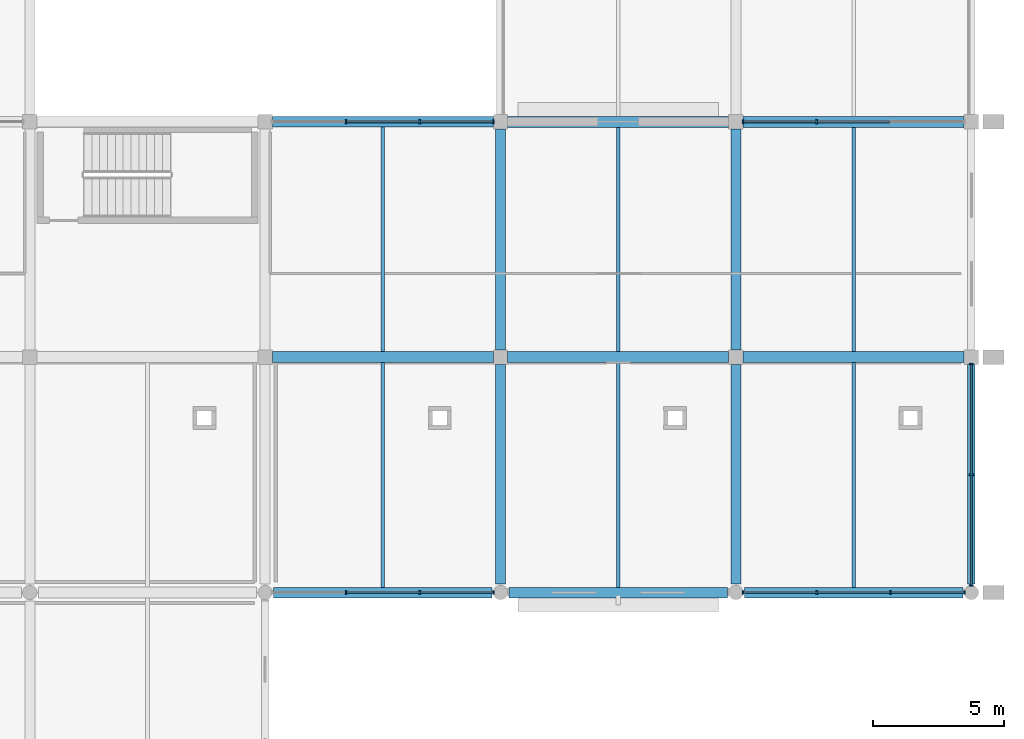
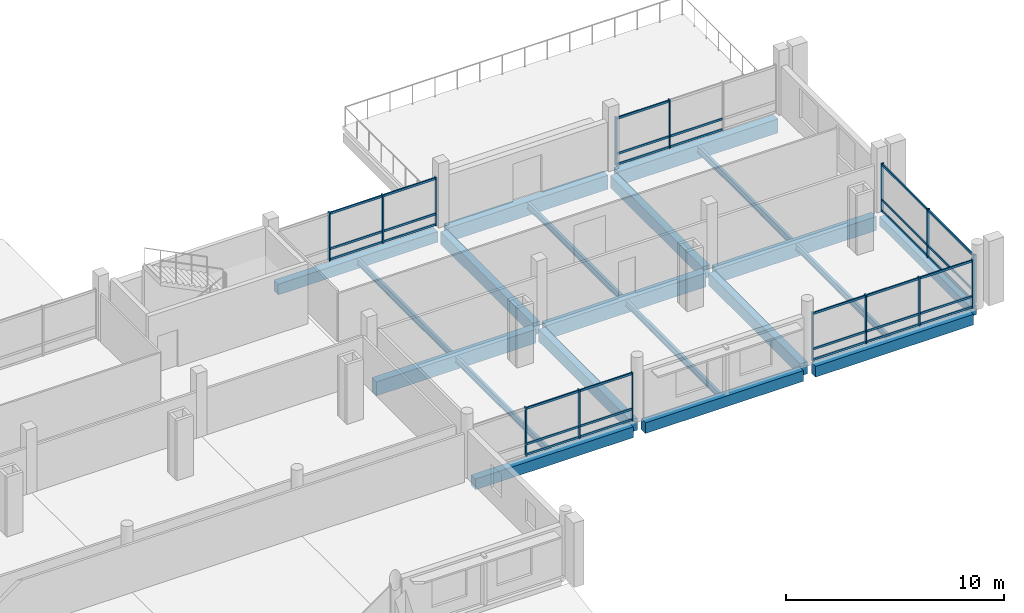
# One storey, part 61 of 132: 47 members, 20 beams, 5 elements without a shape of their own.
"""IFC4 building model written with IfcOpenShell, lengths in metres."""

from ifc_helpers import new_model, si_unit, direction, frame, origin, origin_2d, place, context, subcontext, project, spatial, rectangle, i_section, extrude, material, material_profile, profile_set, type_object, element, aggregate, save


model = new_model("IFC4")

# Units and contexts
model_context = context("Model", 3, precision=1e-05, world=origin(), true_north=direction((0.0, 1.0)))
body_context = subcontext(model_context, "Body", "Model", "MODEL_VIEW")
ifc_project = project(units=[si_unit("LENGTHUNIT", "METRE"), si_unit("AREAUNIT", "SQUARE_METRE"), si_unit("VOLUMEUNIT", "CUBIC_METRE"), si_unit("PLANEANGLEUNIT", "RADIAN"), si_unit("MASSUNIT", "GRAM", prefix="KILO")], contexts=[model_context])

# Site, building, storey
site_placement = place(None, origin())
site = spatial("IfcSite", under=ifc_project, at=site_placement, CompositionType="ELEMENT")
building_placement = place(site_placement, origin())
building = spatial("IfcBuilding", under=site, at=building_placement, Name="Tharagai Park Tramway Depot", CompositionType="ELEMENT")
storey_placement = place(building_placement, frame((0.0, 0.0, 4.800048828125)))
storey = spatial("IfcBuildingStorey", under=building, at=storey_placement, Name="L01", CompositionType="ELEMENT", Elevation=4.800048828125)

# Beams
ifc_material_1 = material(Name="Concrete M35", Category="concrete")
ifc_material_profile_1 = material_profile(ifc_material_1, rectangle(XDim=0.3798828125, YDim=0.679931640625, at=origin_2d()), Name="RC 380x680")
ifc_profile_set_1 = profile_set([ifc_material_profile_1], Name="Concrete M35")
beam_type_1 = type_object("IfcBeamType", Name="BM-12", PredefinedType="BEAM", material=ifc_profile_set_1)
beam_1_placement = place(storey_placement, frame((198.0, 9.324951171875, -0.570068359375), z_axis=(0.0, 1.0, 0.0), x_axis=(-1.0, 0.0, 0.0)))
element("IfcBeam", 1, at=beam_1_placement, inside=storey, type_object=beam_type_1, Name="L01 Grid Beam BM-12", PredefinedType="BEAM", context=body_context, shape_type="SweptSolid", body=[
    extrude(rectangle(XDim=0.3798828125, YDim=0.679931640625, at=origin_2d()), origin(), (0.0, 0.0, 1.0), 8.400146484375),
])
beam_2_placement = place(storey_placement, frame((198.0, 18.27490234375, -0.570068359375), z_axis=(0.0, 1.0, 0.0), x_axis=(-1.0, 0.0, 0.0)))
element("IfcBeam", 2, at=beam_2_placement, inside=storey, type_object=beam_type_1, Name="L01 Grid Beam BM-12", PredefinedType="BEAM", context=body_context, shape_type="SweptSolid", body=[
    extrude(rectangle(XDim=0.3798828125, YDim=0.679931640625, at=origin_2d()), origin(), (0.0, 0.0, 1.0), 8.4501953125),
])
beam_3_placement = place(storey_placement, frame((207.0, 9.324951171875, -0.570068359375), z_axis=(0.0, 1.0, 0.0), x_axis=(-1.0, 0.0, 0.0)))
element("IfcBeam", 3, at=beam_3_placement, inside=storey, type_object=beam_type_1, Name="L01 Grid Beam BM-12", PredefinedType="BEAM", context=body_context, shape_type="SweptSolid", body=[
    extrude(rectangle(XDim=0.3798828125, YDim=0.679931640625, at=origin_2d()), origin(), (0.0, 0.0, 1.0), 8.400146484375),
])
beam_4_placement = place(storey_placement, frame((207.0, 18.27490234375, -0.570068359375), z_axis=(0.0, 1.0, 0.0), x_axis=(-1.0, 0.0, 0.0)))
element("IfcBeam", 4, at=beam_4_placement, inside=storey, type_object=beam_type_1, Name="L01 Grid Beam BM-12", PredefinedType="BEAM", context=body_context, shape_type="SweptSolid", body=[
    extrude(rectangle(XDim=0.3798828125, YDim=0.679931640625, at=origin_2d()), origin(), (0.0, 0.0, 1.0), 8.4501953125),
])
ifc_material_profile_2 = material_profile(ifc_material_1, rectangle(XDim=0.419921875, YDim=0.780029296875, at=origin_2d()), Name="RC 420x780")
ifc_profile_set_2 = profile_set([ifc_material_profile_2], Name="Concrete M35")
beam_type_2 = type_object("IfcBeamType", Name="BM-16", PredefinedType="BEAM", material=ifc_profile_set_2)
for number, where, z_axis, x_axis, name in (
    (5, (189.27490234375, 18.0, -0.6201171875), (1.0, 0.0, 0.0), (0.0, 1.0, 0.0), "L01 Grid Beam BM-16"),
    (6, (198.27490234375, 18.0, -0.6201171875), (1.0, 0.0, 0.0), (0.0, 1.0, 0.0), "L01 Grid Beam BM-16"),
    (7, (207.27490234375, 18.0, -0.6201171875), (1.0, 0.0, 0.0), (0.0, 1.0, 0.0), "L01 Grid Beam BM-16"),
    (8, (198.27490234375, 27.0, -0.6201171875), (1.0, 0.0, 0.0), (0.0, 1.0, 0.0), "L01 Grid Beam BM-16"),
    (9, (207.27490234375, 27.0, -0.6201171875), (1.0, 0.0, 0.0), (0.0, 1.0, 0.0), "L01 Grid Beam BM-16"),
):
    element("IfcBeam", number, at=place(storey_placement, frame(where, z_axis=z_axis, x_axis=x_axis)), inside=storey, type_object=beam_type_2, Name=name, PredefinedType="BEAM", context=body_context, shape_type="SweptSolid", body=[
        extrude(rectangle(XDim=0.419921875, YDim=0.780029296875, at=origin_2d()), origin(), (0.0, 0.0, 1.0), 8.4501953125),
    ])

# Curtain wall, members
ifc_material_2 = material(Name="Anodised aluminium", Category="aluminium")
curtain_wall_type_1 = type_object("IfcCurtainWallType", Name="CW-06", PredefinedType="NOTDEFINED", material=ifc_material_2)
curtain_wall_1_placement = place(storey_placement, origin())
curtain_wall_1 = element("IfcCurtainWall", 10, at=curtain_wall_1_placement, inside=storey, type_object=curtain_wall_type_1, Name="L01 V5 Gothic Mullioned Curtain Wall CW-06", PredefinedType="NOTDEFINED")
ifc_material_profile_3 = material_profile(ifc_material_2, rectangle(XDim=0.06494140625, YDim=0.1201171875, at=origin_2d()), Name="ALU 65x120")
ifc_profile_set_3 = profile_set([ifc_material_profile_3], Name="Anodised aluminium")
member_type_1 = type_object("IfcMemberType", Name="CM-01", PredefinedType="USERDEFINED", material=ifc_profile_set_3)
member_1_placement = place(storey_placement, frame((192.103271484375, 9.0, 0.06005859375), z_axis=(1.0, 0.0, 0.0), x_axis=(0.0, 1.0, 0.0)))
member_1 = element("IfcMember", 11, at=member_1_placement, type_object=member_type_1, Name="L01 V5 Gothic Mullioned Curtain Wall Transom 2.1", ObjectType="TRANSOM", PredefinedType="USERDEFINED", context=body_context, shape_type="SweptSolid", body=[
    extrude(rectangle(XDim=0.06494140625, YDim=0.1201171875, at=origin_2d()), origin(), (0.0, 0.0, 1.0), 2.79345703125),
])
member_2_placement = place(storey_placement, frame((192.103271484375, 9.0, 0.64990234375), z_axis=(1.0, 0.0, 0.0), x_axis=(0.0, 1.0, 0.0)))
member_2 = element("IfcMember", 12, at=member_2_placement, type_object=member_type_1, Name="L01 V5 Gothic Mullioned Curtain Wall Transom 2.2", ObjectType="TRANSOM", PredefinedType="USERDEFINED", context=body_context, shape_type="SweptSolid", body=[
    extrude(rectangle(XDim=0.06494140625, YDim=0.1201171875, at=origin_2d()), origin(), (0.0, 0.0, 1.0), 2.79345703125),
])
member_3_placement = place(storey_placement, frame((192.103271484375, 9.0, 2.6298828125), z_axis=(1.0, 0.0, 0.0), x_axis=(0.0, 1.0, 0.0)))
member_3 = element("IfcMember", 13, at=member_3_placement, type_object=member_type_1, Name="L01 V5 Gothic Mullioned Curtain Wall Transom 2.3", ObjectType="TRANSOM", PredefinedType="USERDEFINED", context=body_context, shape_type="SweptSolid", body=[
    extrude(rectangle(XDim=0.06494140625, YDim=0.1201171875, at=origin_2d()), origin(), (0.0, 0.0, 1.0), 2.79345703125),
])
member_4_placement = place(storey_placement, frame((194.9267578125, 9.0, 0.06005859375), z_axis=(1.0, 0.0, 0.0), x_axis=(0.0, 1.0, 0.0)))
member_4 = element("IfcMember", 14, at=member_4_placement, type_object=member_type_1, Name="L01 V5 Gothic Mullioned Curtain Wall Transom 3.1", ObjectType="TRANSOM", PredefinedType="USERDEFINED", context=body_context, shape_type="SweptSolid", body=[
    extrude(rectangle(XDim=0.06494140625, YDim=0.1201171875, at=origin_2d()), origin(), (0.0, 0.0, 1.0), 2.793212890625),
])
member_5_placement = place(storey_placement, frame((194.9267578125, 9.0, 0.64990234375), z_axis=(1.0, 0.0, 0.0), x_axis=(0.0, 1.0, 0.0)))
member_5 = element("IfcMember", 15, at=member_5_placement, type_object=member_type_1, Name="L01 V5 Gothic Mullioned Curtain Wall Transom 3.2", ObjectType="TRANSOM", PredefinedType="USERDEFINED", context=body_context, shape_type="SweptSolid", body=[
    extrude(rectangle(XDim=0.06494140625, YDim=0.1201171875, at=origin_2d()), origin(), (0.0, 0.0, 1.0), 2.793212890625),
])
member_6_placement = place(storey_placement, frame((194.9267578125, 9.0, 2.6298828125), z_axis=(1.0, 0.0, 0.0), x_axis=(0.0, 1.0, 0.0)))
member_6 = element("IfcMember", 16, at=member_6_placement, type_object=member_type_1, Name="L01 V5 Gothic Mullioned Curtain Wall Transom 3.3", ObjectType="TRANSOM", PredefinedType="USERDEFINED", context=body_context, shape_type="SweptSolid", body=[
    extrude(rectangle(XDim=0.06494140625, YDim=0.1201171875, at=origin_2d()), origin(), (0.0, 0.0, 1.0), 2.793212890625),
])

curtain_wall_2_placement = place(storey_placement, origin())
curtain_wall_2 = element("IfcCurtainWall", 17, at=curtain_wall_2_placement, inside=storey, type_object=curtain_wall_type_1, Name="L01 V5 Gothic Mullioned Curtain Wall CW-06", PredefinedType="NOTDEFINED")
member_7_placement = place(storey_placement, frame((207.280029296875, 9.0, 0.06005859375), z_axis=(1.0, 0.0, 0.0), x_axis=(0.0, 1.0, 0.0)))
member_7 = element("IfcMember", 18, at=member_7_placement, type_object=member_type_1, Name="L01 V5 Gothic Mullioned Curtain Wall Transom 1.1", ObjectType="TRANSOM", PredefinedType="USERDEFINED", context=body_context, shape_type="SweptSolid", body=[
    extrude(rectangle(XDim=0.06494140625, YDim=0.1201171875, at=origin_2d()), origin(), (0.0, 0.0, 1.0), 2.793212890625),
])
member_8_placement = place(storey_placement, frame((207.280029296875, 9.0, 0.64990234375), z_axis=(1.0, 0.0, 0.0), x_axis=(0.0, 1.0, 0.0)))
member_8 = element("IfcMember", 19, at=member_8_placement, type_object=member_type_1, Name="L01 V5 Gothic Mullioned Curtain Wall Transom 1.2", ObjectType="TRANSOM", PredefinedType="USERDEFINED", context=body_context, shape_type="SweptSolid", body=[
    extrude(rectangle(XDim=0.06494140625, YDim=0.1201171875, at=origin_2d()), origin(), (0.0, 0.0, 1.0), 2.793212890625),
])
member_9_placement = place(storey_placement, frame((207.280029296875, 9.0, 2.6298828125), z_axis=(1.0, 0.0, 0.0), x_axis=(0.0, 1.0, 0.0)))
member_9 = element("IfcMember", 20, at=member_9_placement, type_object=member_type_1, Name="L01 V5 Gothic Mullioned Curtain Wall Transom 1.3", ObjectType="TRANSOM", PredefinedType="USERDEFINED", context=body_context, shape_type="SweptSolid", body=[
    extrude(rectangle(XDim=0.06494140625, YDim=0.1201171875, at=origin_2d()), origin(), (0.0, 0.0, 1.0), 2.793212890625),
])
member_10_placement = place(storey_placement, frame((210.103271484375, 9.0, 0.06005859375), z_axis=(1.0, 0.0, 0.0), x_axis=(0.0, 1.0, 0.0)))
member_10 = element("IfcMember", 21, at=member_10_placement, type_object=member_type_1, Name="L01 V5 Gothic Mullioned Curtain Wall Transom 2.1", ObjectType="TRANSOM", PredefinedType="USERDEFINED", context=body_context, shape_type="SweptSolid", body=[
    extrude(rectangle(XDim=0.06494140625, YDim=0.1201171875, at=origin_2d()), origin(), (0.0, 0.0, 1.0), 2.79345703125),
])
member_11_placement = place(storey_placement, frame((210.103271484375, 9.0, 0.64990234375), z_axis=(1.0, 0.0, 0.0), x_axis=(0.0, 1.0, 0.0)))
member_11 = element("IfcMember", 22, at=member_11_placement, type_object=member_type_1, Name="L01 V5 Gothic Mullioned Curtain Wall Transom 2.2", ObjectType="TRANSOM", PredefinedType="USERDEFINED", context=body_context, shape_type="SweptSolid", body=[
    extrude(rectangle(XDim=0.06494140625, YDim=0.1201171875, at=origin_2d()), origin(), (0.0, 0.0, 1.0), 2.79345703125),
])
member_12_placement = place(storey_placement, frame((210.103271484375, 9.0, 2.6298828125), z_axis=(1.0, 0.0, 0.0), x_axis=(0.0, 1.0, 0.0)))
member_12 = element("IfcMember", 23, at=member_12_placement, type_object=member_type_1, Name="L01 V5 Gothic Mullioned Curtain Wall Transom 2.3", ObjectType="TRANSOM", PredefinedType="USERDEFINED", context=body_context, shape_type="SweptSolid", body=[
    extrude(rectangle(XDim=0.06494140625, YDim=0.1201171875, at=origin_2d()), origin(), (0.0, 0.0, 1.0), 2.79345703125),
])
member_13_placement = place(storey_placement, frame((212.9267578125, 9.0, 0.06005859375), z_axis=(1.0, 0.0, 0.0), x_axis=(0.0, 1.0, 0.0)))
member_13 = element("IfcMember", 24, at=member_13_placement, type_object=member_type_1, Name="L01 V5 Gothic Mullioned Curtain Wall Transom 3.1", ObjectType="TRANSOM", PredefinedType="USERDEFINED", context=body_context, shape_type="SweptSolid", body=[
    extrude(rectangle(XDim=0.06494140625, YDim=0.1201171875, at=origin_2d()), origin(), (0.0, 0.0, 1.0), 2.793212890625),
])
member_14_placement = place(storey_placement, frame((212.9267578125, 9.0, 0.64990234375), z_axis=(1.0, 0.0, 0.0), x_axis=(0.0, 1.0, 0.0)))
member_14 = element("IfcMember", 25, at=member_14_placement, type_object=member_type_1, Name="L01 V5 Gothic Mullioned Curtain Wall Transom 3.2", ObjectType="TRANSOM", PredefinedType="USERDEFINED", context=body_context, shape_type="SweptSolid", body=[
    extrude(rectangle(XDim=0.06494140625, YDim=0.1201171875, at=origin_2d()), origin(), (0.0, 0.0, 1.0), 2.793212890625),
])
member_15_placement = place(storey_placement, frame((212.9267578125, 9.0, 2.6298828125), z_axis=(1.0, 0.0, 0.0), x_axis=(0.0, 1.0, 0.0)))
member_15 = element("IfcMember", 26, at=member_15_placement, type_object=member_type_1, Name="L01 V5 Gothic Mullioned Curtain Wall Transom 3.3", ObjectType="TRANSOM", PredefinedType="USERDEFINED", context=body_context, shape_type="SweptSolid", body=[
    extrude(rectangle(XDim=0.06494140625, YDim=0.1201171875, at=origin_2d()), origin(), (0.0, 0.0, 1.0), 2.793212890625),
])

curtain_wall_3_placement = place(storey_placement, origin())
curtain_wall_3 = element("IfcCurtainWall", 27, at=curtain_wall_3_placement, inside=storey, type_object=curtain_wall_type_1, Name="L01 V5 Gothic Mullioned Curtain Wall CW-06", PredefinedType="NOTDEFINED")
member_16_placement = place(storey_placement, frame((192.103271484375, 27.0, 0.06005859375), z_axis=(1.0, 0.0, 0.0), x_axis=(0.0, 1.0, 0.0)))
member_16 = element("IfcMember", 28, at=member_16_placement, type_object=member_type_1, Name="L01 V5 Gothic Mullioned Curtain Wall Transom 2.1", ObjectType="TRANSOM", PredefinedType="USERDEFINED", context=body_context, shape_type="SweptSolid", body=[
    extrude(rectangle(XDim=0.06494140625, YDim=0.1201171875, at=origin_2d()), origin(), (0.0, 0.0, 1.0), 2.79345703125),
])
member_17_placement = place(storey_placement, frame((192.103271484375, 27.0, 0.64990234375), z_axis=(1.0, 0.0, 0.0), x_axis=(0.0, 1.0, 0.0)))
member_17 = element("IfcMember", 29, at=member_17_placement, type_object=member_type_1, Name="L01 V5 Gothic Mullioned Curtain Wall Transom 2.2", ObjectType="TRANSOM", PredefinedType="USERDEFINED", context=body_context, shape_type="SweptSolid", body=[
    extrude(rectangle(XDim=0.06494140625, YDim=0.1201171875, at=origin_2d()), origin(), (0.0, 0.0, 1.0), 2.79345703125),
])
member_18_placement = place(storey_placement, frame((192.103271484375, 27.0, 2.6298828125), z_axis=(1.0, 0.0, 0.0), x_axis=(0.0, 1.0, 0.0)))
member_18 = element("IfcMember", 30, at=member_18_placement, type_object=member_type_1, Name="L01 V5 Gothic Mullioned Curtain Wall Transom 2.3", ObjectType="TRANSOM", PredefinedType="USERDEFINED", context=body_context, shape_type="SweptSolid", body=[
    extrude(rectangle(XDim=0.06494140625, YDim=0.1201171875, at=origin_2d()), origin(), (0.0, 0.0, 1.0), 2.79345703125),
])
member_19_placement = place(storey_placement, frame((194.9267578125, 27.0, 0.06005859375), z_axis=(1.0, 0.0, 0.0), x_axis=(0.0, 1.0, 0.0)))
member_19 = element("IfcMember", 31, at=member_19_placement, type_object=member_type_1, Name="L01 V5 Gothic Mullioned Curtain Wall Transom 3.1", ObjectType="TRANSOM", PredefinedType="USERDEFINED", context=body_context, shape_type="SweptSolid", body=[
    extrude(rectangle(XDim=0.06494140625, YDim=0.1201171875, at=origin_2d()), origin(), (0.0, 0.0, 1.0), 2.793212890625),
])
member_20_placement = place(storey_placement, frame((194.9267578125, 27.0, 0.64990234375), z_axis=(1.0, 0.0, 0.0), x_axis=(0.0, 1.0, 0.0)))
member_20 = element("IfcMember", 32, at=member_20_placement, type_object=member_type_1, Name="L01 V5 Gothic Mullioned Curtain Wall Transom 3.2", ObjectType="TRANSOM", PredefinedType="USERDEFINED", context=body_context, shape_type="SweptSolid", body=[
    extrude(rectangle(XDim=0.06494140625, YDim=0.1201171875, at=origin_2d()), origin(), (0.0, 0.0, 1.0), 2.793212890625),
])
member_21_placement = place(storey_placement, frame((194.9267578125, 27.0, 2.6298828125), z_axis=(1.0, 0.0, 0.0), x_axis=(0.0, 1.0, 0.0)))
member_21 = element("IfcMember", 33, at=member_21_placement, type_object=member_type_1, Name="L01 V5 Gothic Mullioned Curtain Wall Transom 3.3", ObjectType="TRANSOM", PredefinedType="USERDEFINED", context=body_context, shape_type="SweptSolid", body=[
    extrude(rectangle(XDim=0.06494140625, YDim=0.1201171875, at=origin_2d()), origin(), (0.0, 0.0, 1.0), 2.793212890625),
])

curtain_wall_4_placement = place(storey_placement, origin())
curtain_wall_4 = element("IfcCurtainWall", 34, at=curtain_wall_4_placement, inside=storey, type_object=curtain_wall_type_1, Name="L01 V5 Gothic Mullioned Curtain Wall CW-06", PredefinedType="NOTDEFINED")
member_22_placement = place(storey_placement, frame((207.280029296875, 27.0, 0.06005859375), z_axis=(1.0, 0.0, 0.0), x_axis=(0.0, 1.0, 0.0)))
member_22 = element("IfcMember", 35, at=member_22_placement, type_object=member_type_1, Name="L01 V5 Gothic Mullioned Curtain Wall Transom 1.1", ObjectType="TRANSOM", PredefinedType="USERDEFINED", context=body_context, shape_type="SweptSolid", body=[
    extrude(rectangle(XDim=0.06494140625, YDim=0.1201171875, at=origin_2d()), origin(), (0.0, 0.0, 1.0), 2.793212890625),
])
member_23_placement = place(storey_placement, frame((207.280029296875, 27.0, 0.64990234375), z_axis=(1.0, 0.0, 0.0), x_axis=(0.0, 1.0, 0.0)))
member_23 = element("IfcMember", 36, at=member_23_placement, type_object=member_type_1, Name="L01 V5 Gothic Mullioned Curtain Wall Transom 1.2", ObjectType="TRANSOM", PredefinedType="USERDEFINED", context=body_context, shape_type="SweptSolid", body=[
    extrude(rectangle(XDim=0.06494140625, YDim=0.1201171875, at=origin_2d()), origin(), (0.0, 0.0, 1.0), 2.793212890625),
])
member_24_placement = place(storey_placement, frame((207.280029296875, 27.0, 2.6298828125), z_axis=(1.0, 0.0, 0.0), x_axis=(0.0, 1.0, 0.0)))
member_24 = element("IfcMember", 37, at=member_24_placement, type_object=member_type_1, Name="L01 V5 Gothic Mullioned Curtain Wall Transom 1.3", ObjectType="TRANSOM", PredefinedType="USERDEFINED", context=body_context, shape_type="SweptSolid", body=[
    extrude(rectangle(XDim=0.06494140625, YDim=0.1201171875, at=origin_2d()), origin(), (0.0, 0.0, 1.0), 2.793212890625),
])
member_25_placement = place(storey_placement, frame((210.103271484375, 27.0, 0.06005859375), z_axis=(1.0, 0.0, 0.0), x_axis=(0.0, 1.0, 0.0)))
member_25 = element("IfcMember", 38, at=member_25_placement, type_object=member_type_1, Name="L01 V5 Gothic Mullioned Curtain Wall Transom 2.1", ObjectType="TRANSOM", PredefinedType="USERDEFINED", context=body_context, shape_type="SweptSolid", body=[
    extrude(rectangle(XDim=0.06494140625, YDim=0.1201171875, at=origin_2d()), origin(), (0.0, 0.0, 1.0), 2.79345703125),
])
member_26_placement = place(storey_placement, frame((210.103271484375, 27.0, 0.64990234375), z_axis=(1.0, 0.0, 0.0), x_axis=(0.0, 1.0, 0.0)))
member_26 = element("IfcMember", 39, at=member_26_placement, type_object=member_type_1, Name="L01 V5 Gothic Mullioned Curtain Wall Transom 2.2", ObjectType="TRANSOM", PredefinedType="USERDEFINED", context=body_context, shape_type="SweptSolid", body=[
    extrude(rectangle(XDim=0.06494140625, YDim=0.1201171875, at=origin_2d()), origin(), (0.0, 0.0, 1.0), 2.79345703125),
])

curtain_wall_type_2 = type_object("IfcCurtainWallType", Name="CW-07", PredefinedType="NOTDEFINED", material=ifc_material_2)
curtain_wall_5_placement = place(storey_placement, origin())
curtain_wall_5 = element("IfcCurtainWall", 40, at=curtain_wall_5_placement, inside=storey, type_object=curtain_wall_type_2, Name="L01 V5 Side Mullioned Curtain Wall CW-07", PredefinedType="NOTDEFINED")
member_27_placement = place(storey_placement, frame((216.0, 9.280029296875, 0.06005859375), z_axis=(0.0, 1.0, 0.0), x_axis=(-1.0, 0.0, 0.0)))
member_27 = element("IfcMember", 41, at=member_27_placement, type_object=member_type_1, Name="L01 V5 Side Mullioned Curtain Wall Transom 1.1", ObjectType="TRANSOM", PredefinedType="USERDEFINED", context=body_context, shape_type="SweptSolid", body=[
    extrude(rectangle(XDim=0.06494140625, YDim=0.1201171875, at=origin_2d()), origin(), (0.0, 0.0, 1.0), 4.205078125),
])
member_28_placement = place(storey_placement, frame((216.0, 9.280029296875, 0.64990234375), z_axis=(0.0, 1.0, 0.0), x_axis=(-1.0, 0.0, 0.0)))
member_28 = element("IfcMember", 42, at=member_28_placement, type_object=member_type_1, Name="L01 V5 Side Mullioned Curtain Wall Transom 1.2", ObjectType="TRANSOM", PredefinedType="USERDEFINED", context=body_context, shape_type="SweptSolid", body=[
    extrude(rectangle(XDim=0.06494140625, YDim=0.1201171875, at=origin_2d()), origin(), (0.0, 0.0, 1.0), 4.205078125),
])
member_29_placement = place(storey_placement, frame((216.0, 9.280029296875, 2.6298828125), z_axis=(0.0, 1.0, 0.0), x_axis=(-1.0, 0.0, 0.0)))
member_29 = element("IfcMember", 43, at=member_29_placement, type_object=member_type_1, Name="L01 V5 Side Mullioned Curtain Wall Transom 1.3", ObjectType="TRANSOM", PredefinedType="USERDEFINED", context=body_context, shape_type="SweptSolid", body=[
    extrude(rectangle(XDim=0.06494140625, YDim=0.1201171875, at=origin_2d()), origin(), (0.0, 0.0, 1.0), 4.205078125),
])
member_30_placement = place(storey_placement, frame((216.0, 13.514892578125, 0.06005859375), z_axis=(0.0, 1.0, 0.0), x_axis=(-1.0, 0.0, 0.0)))
member_30 = element("IfcMember", 44, at=member_30_placement, type_object=member_type_1, Name="L01 V5 Side Mullioned Curtain Wall Transom 2.1", ObjectType="TRANSOM", PredefinedType="USERDEFINED", context=body_context, shape_type="SweptSolid", body=[
    extrude(rectangle(XDim=0.06494140625, YDim=0.1201171875, at=origin_2d()), origin(), (0.0, 0.0, 1.0), 4.205078125),
])
member_31_placement = place(storey_placement, frame((216.0, 13.514892578125, 0.64990234375), z_axis=(0.0, 1.0, 0.0), x_axis=(-1.0, 0.0, 0.0)))
member_31 = element("IfcMember", 45, at=member_31_placement, type_object=member_type_1, Name="L01 V5 Side Mullioned Curtain Wall Transom 2.2", ObjectType="TRANSOM", PredefinedType="USERDEFINED", context=body_context, shape_type="SweptSolid", body=[
    extrude(rectangle(XDim=0.06494140625, YDim=0.1201171875, at=origin_2d()), origin(), (0.0, 0.0, 1.0), 4.205078125),
])
member_32_placement = place(storey_placement, frame((216.0, 13.514892578125, 2.6298828125), z_axis=(0.0, 1.0, 0.0), x_axis=(-1.0, 0.0, 0.0)))
member_32 = element("IfcMember", 46, at=member_32_placement, type_object=member_type_1, Name="L01 V5 Side Mullioned Curtain Wall Transom 2.3", ObjectType="TRANSOM", PredefinedType="USERDEFINED", context=body_context, shape_type="SweptSolid", body=[
    extrude(rectangle(XDim=0.06494140625, YDim=0.1201171875, at=origin_2d()), origin(), (0.0, 0.0, 1.0), 4.205078125),
])

# Member
ifc_material_profile_4 = material_profile(ifc_material_2, rectangle(XDim=0.06494140625, YDim=0.14990234375, at=origin_2d()), Name="ALU 65x150")
ifc_profile_set_4 = profile_set([ifc_material_profile_4], Name="Anodised aluminium")
member_type_2 = type_object("IfcMemberType", Name="CM-03", PredefinedType="MULLION", material=ifc_profile_set_4)
member_33_placement = place(storey_placement, frame((192.08837890625, 9.0, -0.005126953125), z_axis=(0.0, 0.0, 1.0), x_axis=(1.0, 0.0, 0.0)))
member_33 = element("IfcMember", 47, at=member_33_placement, type_object=member_type_2, Name="L01 V5 Gothic Mullioned Curtain Wall Mullion 2", PredefinedType="MULLION", context=body_context, shape_type="SweptSolid", body=[
    extrude(rectangle(XDim=0.06494140625, YDim=0.14990234375, at=origin_2d()), origin(), (0.0, 0.0, 1.0), 2.719970703125),
])

member_34_placement = place(storey_placement, frame((194.91162109375, 9.0, -0.005126953125), z_axis=(0.0, 0.0, 1.0), x_axis=(1.0, 0.0, 0.0)))
member_34 = element("IfcMember", 48, at=member_34_placement, type_object=member_type_2, Name="L01 V5 Gothic Mullioned Curtain Wall Mullion 3", PredefinedType="MULLION", context=body_context, shape_type="SweptSolid", body=[
    extrude(rectangle(XDim=0.06494140625, YDim=0.14990234375, at=origin_2d()), origin(), (0.0, 0.0, 1.0), 2.719970703125),
])

member_35_placement = place(storey_placement, frame((197.735107421875, 9.0, -0.005126953125), z_axis=(0.0, 0.0, 1.0), x_axis=(1.0, 0.0, 0.0)))
member_35 = element("IfcMember", 49, at=member_35_placement, type_object=member_type_2, Name="L01 V5 Gothic Mullioned Curtain Wall Mullion 4", PredefinedType="MULLION", context=body_context, shape_type="SweptSolid", body=[
    extrude(rectangle(XDim=0.06494140625, YDim=0.14990234375, at=origin_2d()), origin(), (0.0, 0.0, 1.0), 2.719970703125),
])

aggregate(curtain_wall_1, [member_33, member_34, member_35, member_1, member_2, member_3, member_4, member_5, member_6])

member_36_placement = place(storey_placement, frame((207.264892578125, 9.0, -0.005126953125), z_axis=(0.0, 0.0, 1.0), x_axis=(1.0, 0.0, 0.0)))
member_36 = element("IfcMember", 50, at=member_36_placement, type_object=member_type_2, Name="L01 V5 Gothic Mullioned Curtain Wall Mullion 1", PredefinedType="MULLION", context=body_context, shape_type="SweptSolid", body=[
    extrude(rectangle(XDim=0.06494140625, YDim=0.14990234375, at=origin_2d()), origin(), (0.0, 0.0, 1.0), 2.719970703125),
])

member_37_placement = place(storey_placement, frame((210.08837890625, 9.0, -0.005126953125), z_axis=(0.0, 0.0, 1.0), x_axis=(1.0, 0.0, 0.0)))
member_37 = element("IfcMember", 51, at=member_37_placement, type_object=member_type_2, Name="L01 V5 Gothic Mullioned Curtain Wall Mullion 2", PredefinedType="MULLION", context=body_context, shape_type="SweptSolid", body=[
    extrude(rectangle(XDim=0.06494140625, YDim=0.14990234375, at=origin_2d()), origin(), (0.0, 0.0, 1.0), 2.719970703125),
])

member_38_placement = place(storey_placement, frame((212.91162109375, 9.0, -0.005126953125), z_axis=(0.0, 0.0, 1.0), x_axis=(1.0, 0.0, 0.0)))
member_38 = element("IfcMember", 52, at=member_38_placement, type_object=member_type_2, Name="L01 V5 Gothic Mullioned Curtain Wall Mullion 3", PredefinedType="MULLION", context=body_context, shape_type="SweptSolid", body=[
    extrude(rectangle(XDim=0.06494140625, YDim=0.14990234375, at=origin_2d()), origin(), (0.0, 0.0, 1.0), 2.719970703125),
])

member_39_placement = place(storey_placement, frame((215.735107421875, 9.0, -0.005126953125), z_axis=(0.0, 0.0, 1.0), x_axis=(1.0, 0.0, 0.0)))
member_39 = element("IfcMember", 53, at=member_39_placement, type_object=member_type_2, Name="L01 V5 Gothic Mullioned Curtain Wall Mullion 4", PredefinedType="MULLION", context=body_context, shape_type="SweptSolid", body=[
    extrude(rectangle(XDim=0.06494140625, YDim=0.14990234375, at=origin_2d()), origin(), (0.0, 0.0, 1.0), 2.719970703125),
])

aggregate(curtain_wall_2, [member_36, member_37, member_38, member_39, member_7, member_8, member_9, member_10, member_11, member_12, member_13, member_14, member_15])

member_40_placement = place(storey_placement, frame((192.08837890625, 27.0, -0.005126953125), z_axis=(0.0, 0.0, 1.0), x_axis=(1.0, 0.0, 0.0)))
member_40 = element("IfcMember", 54, at=member_40_placement, type_object=member_type_2, Name="L01 V5 Gothic Mullioned Curtain Wall Mullion 2", PredefinedType="MULLION", context=body_context, shape_type="SweptSolid", body=[
    extrude(rectangle(XDim=0.06494140625, YDim=0.14990234375, at=origin_2d()), origin(), (0.0, 0.0, 1.0), 2.719970703125),
])

member_41_placement = place(storey_placement, frame((194.91162109375, 27.0, -0.005126953125), z_axis=(0.0, 0.0, 1.0), x_axis=(1.0, 0.0, 0.0)))
member_41 = element("IfcMember", 55, at=member_41_placement, type_object=member_type_2, Name="L01 V5 Gothic Mullioned Curtain Wall Mullion 3", PredefinedType="MULLION", context=body_context, shape_type="SweptSolid", body=[
    extrude(rectangle(XDim=0.06494140625, YDim=0.14990234375, at=origin_2d()), origin(), (0.0, 0.0, 1.0), 2.719970703125),
])

member_42_placement = place(storey_placement, frame((197.735107421875, 27.0, -0.005126953125), z_axis=(0.0, 0.0, 1.0), x_axis=(1.0, 0.0, 0.0)))
member_42 = element("IfcMember", 56, at=member_42_placement, type_object=member_type_2, Name="L01 V5 Gothic Mullioned Curtain Wall Mullion 4", PredefinedType="MULLION", context=body_context, shape_type="SweptSolid", body=[
    extrude(rectangle(XDim=0.06494140625, YDim=0.14990234375, at=origin_2d()), origin(), (0.0, 0.0, 1.0), 2.719970703125),
])

aggregate(curtain_wall_3, [member_40, member_41, member_42, member_16, member_17, member_18, member_19, member_20, member_21])

member_43_placement = place(storey_placement, frame((207.264892578125, 27.0, -0.005126953125), z_axis=(0.0, 0.0, 1.0), x_axis=(1.0, 0.0, 0.0)))
member_43 = element("IfcMember", 57, at=member_43_placement, type_object=member_type_2, Name="L01 V5 Gothic Mullioned Curtain Wall Mullion 1", PredefinedType="MULLION", context=body_context, shape_type="SweptSolid", body=[
    extrude(rectangle(XDim=0.06494140625, YDim=0.14990234375, at=origin_2d()), origin(), (0.0, 0.0, 1.0), 2.719970703125),
])

member_44_placement = place(storey_placement, frame((210.08837890625, 27.0, -0.005126953125), z_axis=(0.0, 0.0, 1.0), x_axis=(1.0, 0.0, 0.0)))
member_44 = element("IfcMember", 58, at=member_44_placement, type_object=member_type_2, Name="L01 V5 Gothic Mullioned Curtain Wall Mullion 2", PredefinedType="MULLION", context=body_context, shape_type="SweptSolid", body=[
    extrude(rectangle(XDim=0.06494140625, YDim=0.14990234375, at=origin_2d()), origin(), (0.0, 0.0, 1.0), 2.719970703125),
])

aggregate(curtain_wall_4, [member_43, member_44, member_22, member_23, member_24, member_25, member_26])

member_45_placement = place(storey_placement, frame((216.0, 9.264892578125, -0.005126953125), z_axis=(0.0, 0.0, 1.0), x_axis=(0.0, 1.0, 0.0)))
member_45 = element("IfcMember", 59, at=member_45_placement, type_object=member_type_2, Name="L01 V5 Side Mullioned Curtain Wall Mullion 1", PredefinedType="MULLION", context=body_context, shape_type="SweptSolid", body=[
    extrude(rectangle(XDim=0.06494140625, YDim=0.14990234375, at=origin_2d()), origin(), (0.0, 0.0, 1.0), 2.719970703125),
])

member_46_placement = place(storey_placement, frame((216.0, 13.5, -0.005126953125), z_axis=(0.0, 0.0, 1.0), x_axis=(0.0, 1.0, 0.0)))
member_46 = element("IfcMember", 60, at=member_46_placement, type_object=member_type_2, Name="L01 V5 Side Mullioned Curtain Wall Mullion 2", PredefinedType="MULLION", context=body_context, shape_type="SweptSolid", body=[
    extrude(rectangle(XDim=0.06494140625, YDim=0.14990234375, at=origin_2d()), origin(), (0.0, 0.0, 1.0), 2.719970703125),
])

member_47_placement = place(storey_placement, frame((216.0, 17.735107421875, -0.005126953125), z_axis=(0.0, 0.0, 1.0), x_axis=(0.0, 1.0, 0.0)))
member_47 = element("IfcMember", 61, at=member_47_placement, type_object=member_type_2, Name="L01 V5 Side Mullioned Curtain Wall Mullion 3", PredefinedType="MULLION", context=body_context, shape_type="SweptSolid", body=[
    extrude(rectangle(XDim=0.06494140625, YDim=0.14990234375, at=origin_2d()), origin(), (0.0, 0.0, 1.0), 2.719970703125),
])

aggregate(curtain_wall_5, [member_45, member_46, member_47, member_27, member_28, member_29, member_30, member_31, member_32])

# Beams
ifc_material_3 = material(Name="Steel E350", Category="steel")
ifc_material_profile_5 = material_profile(ifc_material_3, i_section(OverallWidth=0.139892578125, OverallDepth=0.35009765625, WebThickness=0.008056640625, FlangeThickness=0.01416015625, FilletRadius=0.013916015625, at=origin_2d()), Name="ISMB 350")
ifc_profile_set_5 = profile_set([ifc_material_profile_5], Name="Steel E350")
beam_type_3 = type_object("IfcBeamType", Name="JT-01", PredefinedType="JOIST", material=ifc_profile_set_5)
for number, where, z_axis, x_axis, name in (
    (62, (193.5, 9.199951171875, -0.405029296875), (0.0, 1.0, 0.0), (-1.0, 0.0, 0.0), "L01 Secondary Joist JT-01"),
    (63, (193.5, 18.2099609375, -0.405029296875), (0.0, 1.0, 0.0), (-1.0, 0.0, 0.0), "L01 Secondary Joist JT-01"),
    (64, (202.5, 9.199951171875, -0.405029296875), (0.0, 1.0, 0.0), (-1.0, 0.0, 0.0), "L01 Secondary Joist JT-01"),
):
    element("IfcBeam", number, at=place(storey_placement, frame(where, z_axis=z_axis, x_axis=x_axis)), inside=storey, type_object=beam_type_3, Name=name, PredefinedType="JOIST", context=body_context, shape_type="SweptSolid", body=[
        extrude(i_section(OverallWidth=0.139892578125, OverallDepth=0.35009765625, WebThickness=0.008056640625, FlangeThickness=0.01416015625, FilletRadius=0.013916015625, at=origin_2d()), origin(), (0.0, 0.0, 1.0), 8.590087890625),
    ])
beam_5_placement = place(storey_placement, frame((202.5, 18.2099609375, -0.405029296875), z_axis=(0.0, 1.0, 0.0), x_axis=(-1.0, 0.0, 0.0)))
element("IfcBeam", 65, at=beam_5_placement, inside=storey, type_object=beam_type_3, Name="L01 Secondary Joist JT-01", PredefinedType="JOIST", context=body_context, shape_type="SweptSolid", body=[
    extrude(i_section(OverallWidth=0.139892578125, OverallDepth=0.35009765625, WebThickness=0.008056640625, FlangeThickness=0.01416015625, FilletRadius=0.013916015625, at=origin_2d()), origin(), (0.0, 0.0, 1.0), 8.580078125),
])
beam_6_placement = place(storey_placement, frame((211.5, 9.199951171875, -0.405029296875), z_axis=(0.0, 1.0, 0.0), x_axis=(-1.0, 0.0, 0.0)))
element("IfcBeam", 66, at=beam_6_placement, inside=storey, type_object=beam_type_3, Name="L01 Secondary Joist JT-01", PredefinedType="JOIST", context=body_context, shape_type="SweptSolid", body=[
    extrude(i_section(OverallWidth=0.139892578125, OverallDepth=0.35009765625, WebThickness=0.008056640625, FlangeThickness=0.01416015625, FilletRadius=0.013916015625, at=origin_2d()), origin(), (0.0, 0.0, 1.0), 8.590087890625),
])
beam_7_placement = place(storey_placement, frame((211.5, 18.2099609375, -0.405029296875), z_axis=(0.0, 1.0, 0.0), x_axis=(-1.0, 0.0, 0.0)))
element("IfcBeam", 67, at=beam_7_placement, inside=storey, type_object=beam_type_3, Name="L01 Secondary Joist JT-01", PredefinedType="JOIST", context=body_context, shape_type="SweptSolid", body=[
    extrude(i_section(OverallWidth=0.139892578125, OverallDepth=0.35009765625, WebThickness=0.008056640625, FlangeThickness=0.01416015625, FilletRadius=0.013916015625, at=origin_2d()), origin(), (0.0, 0.0, 1.0), 8.580078125),
])
ifc_material_profile_6 = material_profile(ifc_material_1, rectangle(XDim=0.39990234375, YDim=0.60009765625, at=origin_2d()), Name="RC 400x600")
ifc_profile_set_6 = profile_set([ifc_material_profile_6], Name="Concrete M35")
beam_type_4 = type_object("IfcBeamType", Name="SP-02", PredefinedType="SPANDREL", material=ifc_profile_set_6)
for number, where, z_axis, x_axis, name in (
    (68, (189.324951171875, 9.0, -0.530029296875), (1.0, 0.0, 0.0), (0.0, 1.0, 0.0), "L01 Grid Beam SP-02"),
    (69, (198.324951171875, 9.0, -0.530029296875), (1.0, 0.0, 0.0), (0.0, 1.0, 0.0), "L01 Grid Beam SP-02"),
    (70, (207.324951171875, 9.0, -0.530029296875), (1.0, 0.0, 0.0), (0.0, 1.0, 0.0), "L01 Grid Beam SP-02"),
):
    element("IfcBeam", number, at=place(storey_placement, frame(where, z_axis=z_axis, x_axis=x_axis)), inside=storey, type_object=beam_type_4, Name=name, PredefinedType="SPANDREL", context=body_context, shape_type="SweptSolid", body=[
        extrude(rectangle(XDim=0.39990234375, YDim=0.60009765625, at=origin_2d()), origin(), (0.0, 0.0, 1.0), 8.35009765625),
    ])
beam_8_placement = place(storey_placement, frame((189.27490234375, 27.0, -0.530029296875), z_axis=(1.0, 0.0, 0.0), x_axis=(0.0, 1.0, 0.0)))
element("IfcBeam", 71, at=beam_8_placement, inside=storey, type_object=beam_type_4, Name="L01 Grid Beam SP-02", PredefinedType="SPANDREL", context=body_context, shape_type="SweptSolid", body=[
    extrude(rectangle(XDim=0.39990234375, YDim=0.60009765625, at=origin_2d()), origin(), (0.0, 0.0, 1.0), 8.4501953125),
])
ifc_material_profile_7 = material_profile(ifc_material_1, rectangle(XDim=0.300048828125, YDim=0.5, at=origin_2d()), Name="RC 300x500")
ifc_profile_set_7 = profile_set([ifc_material_profile_7], Name="Concrete M35")
beam_type_5 = type_object("IfcBeamType", Name="SP-03", PredefinedType="SPANDREL", material=ifc_profile_set_7)
beam_9_placement = place(storey_placement, frame((216.0, 9.324951171875, -0.47998046875), z_axis=(0.0, 1.0, 0.0), x_axis=(-1.0, 0.0, 0.0)))
element("IfcBeam", 72, at=beam_9_placement, inside=storey, type_object=beam_type_5, Name="L01 Grid Beam SP-03", PredefinedType="SPANDREL", context=body_context, shape_type="SweptSolid", body=[
    extrude(rectangle(XDim=0.300048828125, YDim=0.5, at=origin_2d()), origin(), (0.0, 0.0, 1.0), 8.400146484375),
])

save(model, "model.ifc")
